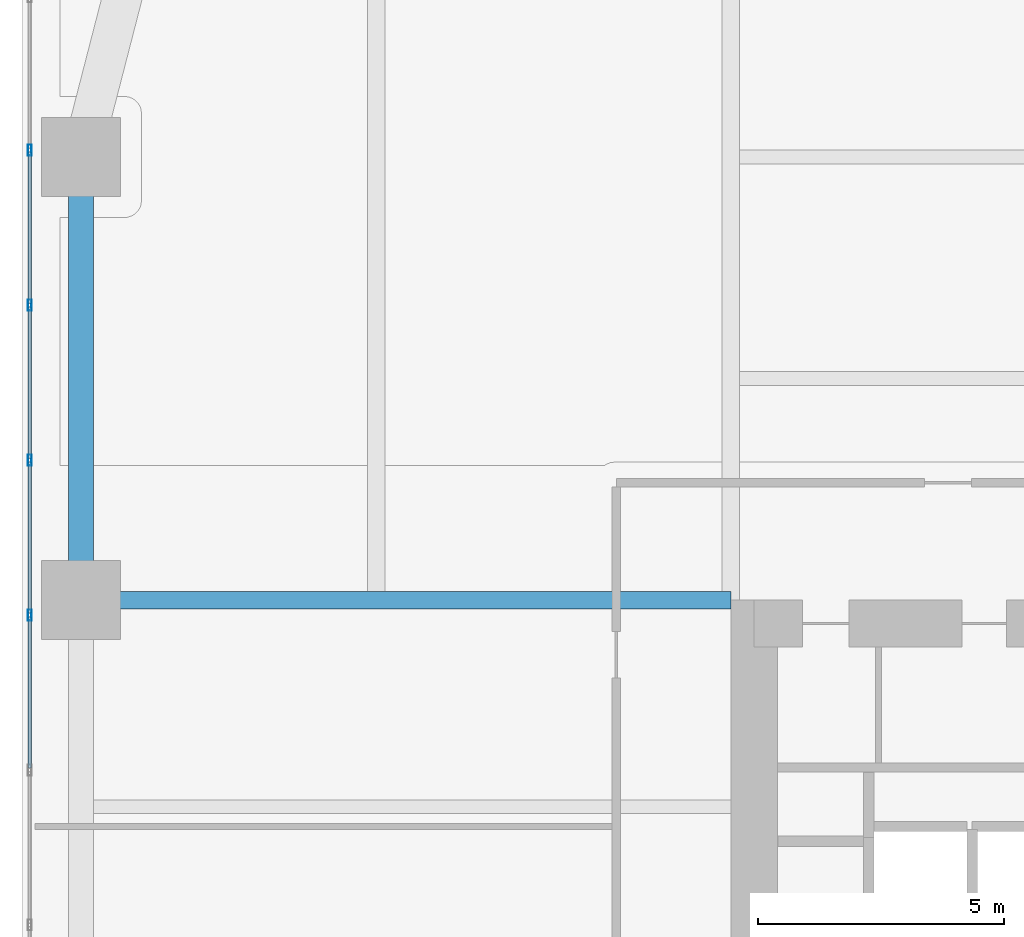
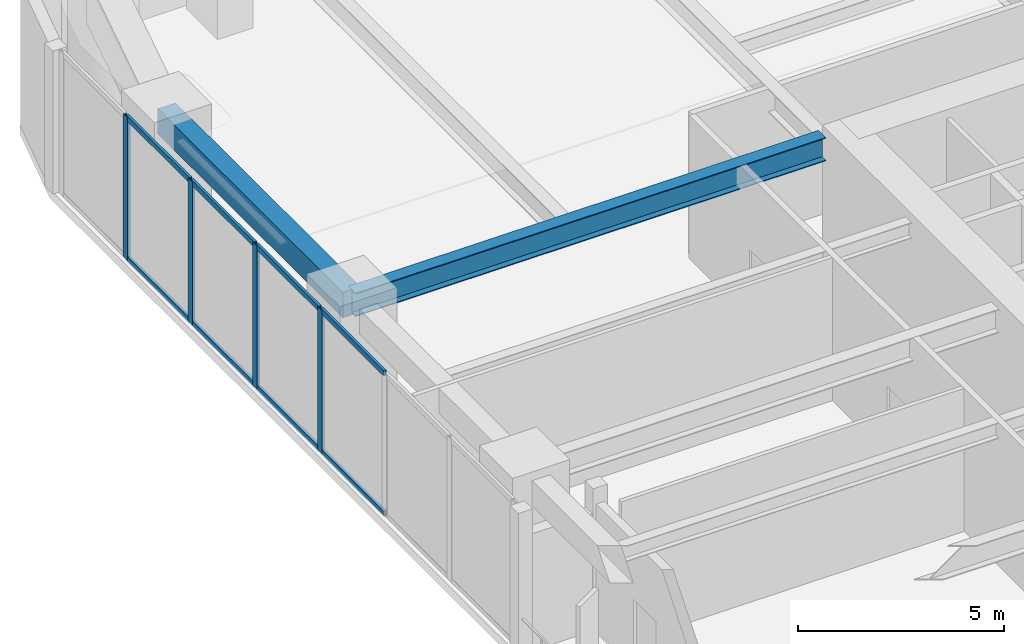
# One storey, part 11 of 25: 12 members, 2 beams, 1 element without a shape of its own.
"""IFC4 building model written with IfcOpenShell, lengths in metres."""

import ifcopenshell
import ifcopenshell.guid

model = None  # the IFC model being written
_history = None  # IfcOwnerHistory: only IFC2X3 demands one
_inside = {}  # id of a spatial element -> (the spatial element, [elements in it])
_under = {}  # id of a project, library or spatial element -> (it, [spatial elements below it])
_declared = {}  # id of a project -> (the project, [libraries it declares])
_typed = {}  # id of a type object -> (the type object, [elements of that type])
_made_of = {}  # id of a material, layer set ... -> (it, [elements and type objects made of it])


def new_model(schema):
    """Start an empty IFC model of exactly this schema.

    Asked for "IFC4X3", IfcOpenShell would pick the latest addendum, in which some entities
    have other attributes; the version numbers below select the first issue.
    IFC2X3 requires an IfcOwnerHistory on every rooted entity: one is made here for all.
    """
    global model, _history
    if schema == "IFC4X3":
        model = ifcopenshell.file(schema_version=(4, 3, 0, 0))
    else:
        model = ifcopenshell.file(schema=schema)
    _inside.clear()
    _under.clear()
    _declared.clear()
    _typed.clear()
    _made_of.clear()
    _history = None
    if model.schema == "IFC2X3":
        org = make("IfcOrganization", Name="unknown")
        user = make(
            "IfcPersonAndOrganization",
            ThePerson=make("IfcPerson", FamilyName="unknown"),
            TheOrganization=org,
        )
        app = make(
            "IfcApplication",
            ApplicationDeveloper=org,
            Version="unknown",
            ApplicationFullName="unknown",
            ApplicationIdentifier="unknown",
        )
        _history = make(
            "IfcOwnerHistory",
            OwningUser=user,
            OwningApplication=app,
            ChangeAction="ADDED",
            CreationDate=0,
        )
    return model


def make(cls, **values):
    """One entity of the class cls with the attributes given. An attribute that is None is left unset."""
    return model.create_entity(
        cls, **{name: value for name, value in values.items() if value is not None}
    )


def rooted(cls, **values):
    """An entity with a GlobalId (a new one), such as an element, a storey or a relation."""
    return make(cls, GlobalId=ifcopenshell.guid.new(), OwnerHistory=_history, **values)


def si_unit(unit_type, name, prefix=None):
    """IfcSIUnit, for example si_unit("LENGTHUNIT", "METRE", prefix="MILLI")."""
    return make("IfcSIUnit", UnitType=unit_type, Prefix=prefix, Name=name)


def assignment(units):
    """IfcUnitAssignment: the units of a project."""
    return None if units is None else make("IfcUnitAssignment", Units=units)


def point(xyz):
    """IfcCartesianPoint."""
    return None if xyz is None else make("IfcCartesianPoint", Coordinates=xyz)


def direction(xyz):
    """IfcDirection."""
    return None if xyz is None else make("IfcDirection", DirectionRatios=xyz)


def frame(location, z_axis=None, x_axis=None):
    """IfcAxis2Placement3D, a coordinate frame: its origin and axes. An axis left out is left unset."""
    return make(
        "IfcAxis2Placement3D",
        Location=point(location),
        Axis=direction(z_axis),
        RefDirection=direction(x_axis),
    )


def frame_2d(location, x_axis=None):
    """IfcAxis2Placement2D, a coordinate frame in the plane: its origin and x axis."""
    return make(
        "IfcAxis2Placement2D", Location=point(location), RefDirection=direction(x_axis)
    )


def origin():
    """The frame at (0, 0, 0) with its axes left unset."""
    return frame((0.0, 0.0, 0.0))


def origin_2d():
    """The frame at (0, 0) in the plane with its x axis left unset."""
    return frame_2d((0.0, 0.0))


def place(relative_to, where):
    """IfcLocalPlacement: puts the frame where relative to a parent placement (None: the world)."""
    return make(
        "IfcLocalPlacement", PlacementRelTo=relative_to, RelativePlacement=where
    )


def context(
    kind, dimensions, precision=None, world=None, true_north=None, identifier=None
):
    """IfcGeometricRepresentationContext, for example the 3D "Model" context."""
    return make(
        "IfcGeometricRepresentationContext",
        ContextIdentifier=identifier,
        ContextType=kind,
        CoordinateSpaceDimension=dimensions,
        Precision=precision,
        WorldCoordinateSystem=world,
        TrueNorth=true_north,
    )


def subcontext(parent, identifier, kind, view, scale=None):
    """IfcGeometricRepresentationSubContext, for example "Body" below "Model"."""
    return make(
        "IfcGeometricRepresentationSubContext",
        ContextIdentifier=identifier,
        ContextType=kind,
        ParentContext=parent,
        TargetScale=scale,
        TargetView=view,
    )


def project(units=None, contexts=None):
    """IfcProject with its units and contexts."""
    return rooted(
        "IfcProject",
        Name="project",
        RepresentationContexts=contexts,
        UnitsInContext=assignment(units),
    )


def spatial(cls, under=None, at=None, **own):
    """A site, building, storey or space (cls), placed at a placement, below another one or the project."""
    s = rooted(cls, ObjectPlacement=at, **own)
    if under is not None:
        _under.setdefault(under.id(), (under, []))[1].append(s)
    return s


def profile(cls, at=None, kind="AREA", **sizes):
    """A parametric profile (cls). Its sizes go by their IFC names, for example OverallWidth=200.0."""
    return make(cls, ProfileType=kind, Position=at, **sizes)


def rectangle(**sizes):
    """IfcRectangleProfileDef."""
    return profile("IfcRectangleProfileDef", **sizes)


def hollow_rectangle(**sizes):
    """IfcRectangleHollowProfileDef."""
    return profile("IfcRectangleHollowProfileDef", **sizes)


def i_section(**sizes):
    """IfcIShapeProfileDef."""
    return profile("IfcIShapeProfileDef", **sizes)


def extrude(swept, where, along, depth):
    """IfcExtrudedAreaSolid: the profile swept, set in the frame where, extruded along a direction by depth."""
    return make(
        "IfcExtrudedAreaSolid",
        SweptArea=swept,
        Position=where,
        ExtrudedDirection=direction(along),
        Depth=depth,
    )


def shape(context_of_items, identifier, shape_type, items):
    """IfcShapeRepresentation: the items that make up one representation, for example the "Body"."""
    return make(
        "IfcShapeRepresentation",
        ContextOfItems=context_of_items,
        RepresentationIdentifier=identifier,
        RepresentationType=shape_type,
        Items=items,
    )


def material(Name=None, Category=None):
    """IfcMaterial."""
    return make("IfcMaterial", Name=Name, Category=Category)


def layer(
    of_material, thickness, ventilated=None, Name=None, Category=None, Priority=None
):
    """IfcMaterialLayer: one layer of a wall or slab, of a material (None: an air gap)."""
    return make(
        "IfcMaterialLayer",
        Material=of_material,
        LayerThickness=thickness,
        IsVentilated=ventilated,
        Name=Name,
        Category=Category,
        Priority=Priority,
    )


def layer_set(layers, Name=None):
    """IfcMaterialLayerSet."""
    return make("IfcMaterialLayerSet", MaterialLayers=layers, LayerSetName=Name)


def material_profile(
    of_material, cross_section, Name=None, Category=None, Priority=None
):
    """IfcMaterialProfile: a cross section and its material."""
    return make(
        "IfcMaterialProfile",
        Name=Name,
        Material=of_material,
        Profile=cross_section,
        Priority=Priority,
        Category=Category,
    )


def profile_set(profiles, Name=None, composite=None):
    """IfcMaterialProfileSet."""
    return make(
        "IfcMaterialProfileSet",
        Name=Name,
        MaterialProfiles=profiles,
        CompositeProfile=composite,
    )


def made_of(thing, what):
    """Note that an element or type object is made of a material, layer set ...; save() writes the relation."""
    if what is not None:
        _made_of.setdefault(what.id(), (what, []))[1].append(thing)
    return thing


def type_object(cls, material=None, **own):
    """A type object (cls), such as IfcWallType, which elements share."""
    return made_of(rooted(cls, **own), material)


def element(
    cls,
    number,
    at=None,
    inside=None,
    cuts=None,
    type_object=None,
    material=None,
    context=None,
    identifier="Body",
    shape_type=None,
    held_by="IfcProductDefinitionShape",
    body=None,
    shapes=None,
    **own,
):
    """One element of the class cls, such as IfcWall. Its Tag is "e" and its number.

    at: its placement. inside: the storey or other place that contains it. cuts: it is an
    opening in that element (IfcRelVoidsElement). A single representation is given by context,
    identifier, shape_type and body (its items); several are given by shapes. held_by: the class
    of the entity that holds the representations. save() writes the other relations.
    """
    e = rooted(cls, Tag="e%d" % number, ObjectPlacement=at, **own)
    if body is not None:
        shapes = [shape(context, identifier, shape_type, body)]
    if shapes is not None:
        e.Representation = make(held_by, Representations=shapes)
    if inside is not None:
        _inside.setdefault(inside.id(), (inside, []))[1].append(e)
    if cuts is not None:
        rooted(
            "IfcRelVoidsElement", RelatingBuildingElement=cuts, RelatedOpeningElement=e
        )
    if type_object is not None:
        _typed.setdefault(type_object.id(), (type_object, []))[1].append(e)
    return made_of(e, material)


def aggregate(whole, parts):
    """IfcRelAggregates: a whole, such as a stair, and the parts it consists of."""
    return rooted("IfcRelAggregates", RelatingObject=whole, RelatedObjects=parts)


def save(model, path):
    """Write the relations noted so far, then the file.

    IfcRelAggregates (storeys below a building ...), IfcRelContainedInSpatialStructure (elements
    in a storey), IfcRelDefinesByType, IfcRelAssociatesMaterial and IfcRelDeclares: one each for
    every whole, place, type object, material and project.
    """
    for whole, parts in _under.values():
        aggregate(whole, parts)
    for where, things in _inside.values():
        rooted(
            "IfcRelContainedInSpatialStructure",
            RelatedElements=things,
            RelatingStructure=where,
        )
    for kind, things in _typed.values():
        rooted("IfcRelDefinesByType", RelatedObjects=things, RelatingType=kind)
    for what, things in _made_of.values():
        rooted("IfcRelAssociatesMaterial", RelatedObjects=things, RelatingMaterial=what)
    for by, libraries in _declared.values():
        rooted("IfcRelDeclares", RelatingContext=by, RelatedDefinitions=libraries)
    model.write(path)


model = new_model("IFC4")

# Units and contexts
model_context = context("Model", 3, precision=1e-05, world=origin(), true_north=direction((0.0, 1.0)))
body_context = subcontext(model_context, "Body", "Model", "MODEL_VIEW")
ifc_project = project(units=[si_unit("LENGTHUNIT", "METRE"), si_unit("AREAUNIT", "SQUARE_METRE"), si_unit("VOLUMEUNIT", "CUBIC_METRE"), si_unit("PLANEANGLEUNIT", "RADIAN"), si_unit("MASSUNIT", "GRAM", prefix="KILO")], contexts=[model_context])

# Site, building, storey
site_placement = place(None, origin())
site = spatial("IfcSite", under=ifc_project, at=site_placement, CompositionType="ELEMENT")
building_placement = place(site_placement, origin())
building = spatial("IfcBuilding", under=site, at=building_placement, Name="Kiyonajd Concourse Tower", CompositionType="ELEMENT")
storey_placement = place(building_placement, frame((0.0, 0.0, 68.39990234375)))
storey = spatial("IfcBuildingStorey", under=building, at=storey_placement, Name="L18", CompositionType="ELEMENT", Elevation=68.39990234375)

# Beams
ifc_material_1 = material(Name="Precast concrete C50/60", Category="concrete")
ifc_material_profile_1 = material_profile(ifc_material_1, rectangle(XDim=0.5, YDim=0.75, at=origin_2d()), Name="RCBM-500x750")
ifc_profile_set_1 = profile_set([ifc_material_profile_1], Name="Precast concrete C50/60")
beam_type_1 = type_object("IfcBeamType", Name="BM-SPAN-RC", PredefinedType="SPANDREL", material=ifc_profile_set_1)
beam_1_placement = place(storey_placement, frame((19.199951171875, 53.39990234375, 3.864990234375), z_axis=(0.0, -1.0, 0.0), x_axis=(1.0, 0.0, 0.0)))
element("IfcBeam", 1, at=beam_1_placement, inside=storey, type_object=beam_type_1, Name="L18 Perimeter Bundled Tube Spandrel", PredefinedType="SPANDREL", context=body_context, shape_type="SweptSolid", body=[
    extrude(rectangle(XDim=0.5, YDim=0.75, at=origin_2d()), origin(), (0.0, 0.0, 1.0), 9.0),
])
ifc_material_2 = material(Name="Steel ASTM A992 Grade 50", Category="steel")
ifc_material_profile_2 = material_profile(ifc_material_2, i_section(OverallWidth=0.35498046875, OverallDepth=0.695068359375, WebThickness=0.015380859375, FlangeThickness=0.02490234375, at=origin_2d()), Name="W690X217")
ifc_profile_set_2 = profile_set([ifc_material_profile_2], Name="Steel ASTM A992 Grade 50")
beam_type_2 = type_object("IfcBeamType", Name="BM-TWR-690", PredefinedType="BEAM", material=ifc_profile_set_2)
beam_2_placement = place(storey_placement, frame((19.199951171875, 44.39990234375, 3.892578125), z_axis=(1.0, 0.0, 0.0), x_axis=(0.0, 1.0, 0.0)))
element("IfcBeam", 2, at=beam_2_placement, inside=storey, type_object=beam_type_2, Name="L18 West Lease Girder", PredefinedType="BEAM", context=body_context, shape_type="SweptSolid", body=[
    extrude(i_section(OverallWidth=0.35498046875, OverallDepth=0.695068359375, WebThickness=0.015380859375, FlangeThickness=0.02490234375, at=origin_2d()), origin(), (0.0, 0.0, 1.0), 13.199951171875),
])

# Curtain wall, members
ifc_material_3 = material(Name="Thermally Broken Anodised Aluminium", Category="aluminium")
ifc_layer = layer(ifc_material_3, 0.179931640625)
ifc_layer_set = layer_set([ifc_layer], Name="Thermally Broken Anodised Aluminium")
curtain_wall_type = type_object("IfcCurtainWallType", Name="CW-SYS-05", PredefinedType="NOTDEFINED", material=ifc_layer_set)
curtain_wall_placement = place(storey_placement, origin())
curtain_wall = element("IfcCurtainWall", 3, at=curtain_wall_placement, inside=storey, type_object=curtain_wall_type, Name="L18 Unitised Curtain Wall CW5", PredefinedType="NOTDEFINED")
ifc_material_profile_3 = material_profile(ifc_material_3, hollow_rectangle(XDim=0.074951171875, YDim=0.219970703125, WallThickness=0.0048828125, at=origin_2d()), Name="MULL-75x220")
ifc_profile_set_3 = profile_set([ifc_material_profile_3], Name="Thermally Broken Anodised Aluminium")
member_type_1 = type_object("IfcMemberType", Name="MB-CW-MULL2", PredefinedType="MULLION", material=ifc_profile_set_3)
member_1_placement = place(storey_placement, frame((18.159912109375, 44.09521484375, 0.0), z_axis=(0.0, 0.0, 1.0), x_axis=(-1.0, 0.0, 0.0)))
member_1 = element("IfcMember", 4, at=member_1_placement, type_object=member_type_1, Name="CW5 mullion 4", PredefinedType="MULLION", context=body_context, shape_type="SweptSolid", body=[
    extrude(hollow_rectangle(XDim=0.074951171875, YDim=0.219970703125, WallThickness=0.0048828125, at=origin_2d()), origin(), (0.0, 0.0, 1.0), 4.239990234375),
])
member_2_placement = place(storey_placement, frame((18.159912109375, 47.24365234375, 0.0), z_axis=(0.0, 0.0, 1.0), x_axis=(-1.0, 0.0, 0.0)))
member_2 = element("IfcMember", 5, at=member_2_placement, type_object=member_type_1, Name="CW5 mullion 5", PredefinedType="MULLION", context=body_context, shape_type="SweptSolid", body=[
    extrude(hollow_rectangle(XDim=0.074951171875, YDim=0.219970703125, WallThickness=0.0048828125, at=origin_2d()), origin(), (0.0, 0.0, 1.0), 4.239990234375),
])
member_3_placement = place(storey_placement, frame((18.159912109375, 50.39208984375, 0.0), z_axis=(0.0, 0.0, 1.0), x_axis=(-1.0, 0.0, 0.0)))
member_3 = element("IfcMember", 6, at=member_3_placement, type_object=member_type_1, Name="CW5 mullion 6", PredefinedType="MULLION", context=body_context, shape_type="SweptSolid", body=[
    extrude(hollow_rectangle(XDim=0.074951171875, YDim=0.219970703125, WallThickness=0.0048828125, at=origin_2d()), origin(), (0.0, 0.0, 1.0), 4.239990234375),
])
member_4_placement = place(storey_placement, frame((18.159912109375, 53.54052734375, 0.0), z_axis=(0.0, 0.0, 1.0), x_axis=(-1.0, 0.0, 0.0)))
member_4 = element("IfcMember", 7, at=member_4_placement, type_object=member_type_1, Name="CW5 mullion 7", PredefinedType="MULLION", context=body_context, shape_type="SweptSolid", body=[
    extrude(hollow_rectangle(XDim=0.074951171875, YDim=0.219970703125, WallThickness=0.0048828125, at=origin_2d()), origin(), (0.0, 0.0, 1.0), 4.239990234375),
])
ifc_material_profile_4 = material_profile(ifc_material_3, hollow_rectangle(XDim=0.074951171875, YDim=0.159912109375, WallThickness=0.0048828125, at=origin_2d()), Name="TRAN-75x160")
ifc_profile_set_4 = profile_set([ifc_material_profile_4], Name="Thermally Broken Anodised Aluminium")
member_type_2 = type_object("IfcMemberType", Name="MB-CW-TRAN2", PredefinedType="USERDEFINED", material=ifc_profile_set_4)
member_5_placement = place(storey_placement, frame((18.159912109375, 40.984375, 0.03759765625), z_axis=(0.0, 1.0, 0.0), x_axis=(-1.0, 0.0, 0.0)))
member_5 = element("IfcMember", 8, at=member_5_placement, type_object=member_type_2, Name="CW5 transom 3.1", ObjectType="TRANSOM", PredefinedType="USERDEFINED", context=body_context, shape_type="SweptSolid", body=[
    extrude(hollow_rectangle(XDim=0.074951171875, YDim=0.159912109375, WallThickness=0.0048828125, at=origin_2d()), origin(), (0.0, 0.0, 1.0), 3.073486328125),
])
member_6_placement = place(storey_placement, frame((18.159912109375, 40.984375, 4.20263671875), z_axis=(0.0, 1.0, 0.0), x_axis=(-1.0, 0.0, 0.0)))
member_6 = element("IfcMember", 9, at=member_6_placement, type_object=member_type_2, Name="CW5 transom 3.2", ObjectType="TRANSOM", PredefinedType="USERDEFINED", context=body_context, shape_type="SweptSolid", body=[
    extrude(hollow_rectangle(XDim=0.074951171875, YDim=0.159912109375, WallThickness=0.0048828125, at=origin_2d()), origin(), (0.0, 0.0, 1.0), 3.073486328125),
])
member_7_placement = place(storey_placement, frame((18.159912109375, 44.1328125, 0.03759765625), z_axis=(0.0, 1.0, 0.0), x_axis=(-1.0, 0.0, 0.0)))
member_7 = element("IfcMember", 10, at=member_7_placement, type_object=member_type_2, Name="CW5 transom 4.1", ObjectType="TRANSOM", PredefinedType="USERDEFINED", context=body_context, shape_type="SweptSolid", body=[
    extrude(hollow_rectangle(XDim=0.074951171875, YDim=0.159912109375, WallThickness=0.0048828125, at=origin_2d()), origin(), (0.0, 0.0, 1.0), 3.0732421875),
])
member_8_placement = place(storey_placement, frame((18.159912109375, 44.1328125, 4.20263671875), z_axis=(0.0, 1.0, 0.0), x_axis=(-1.0, 0.0, 0.0)))
member_8 = element("IfcMember", 11, at=member_8_placement, type_object=member_type_2, Name="CW5 transom 4.2", ObjectType="TRANSOM", PredefinedType="USERDEFINED", context=body_context, shape_type="SweptSolid", body=[
    extrude(hollow_rectangle(XDim=0.074951171875, YDim=0.159912109375, WallThickness=0.0048828125, at=origin_2d()), origin(), (0.0, 0.0, 1.0), 3.0732421875),
])
member_9_placement = place(storey_placement, frame((18.159912109375, 47.28125, 0.03759765625), z_axis=(0.0, 1.0, 0.0), x_axis=(-1.0, 0.0, 0.0)))
member_9 = element("IfcMember", 12, at=member_9_placement, type_object=member_type_2, Name="CW5 transom 5.1", ObjectType="TRANSOM", PredefinedType="USERDEFINED", context=body_context, shape_type="SweptSolid", body=[
    extrude(hollow_rectangle(XDim=0.074951171875, YDim=0.159912109375, WallThickness=0.0048828125, at=origin_2d()), origin(), (0.0, 0.0, 1.0), 3.0732421875),
])
member_10_placement = place(storey_placement, frame((18.159912109375, 47.28125, 4.20263671875), z_axis=(0.0, 1.0, 0.0), x_axis=(-1.0, 0.0, 0.0)))
member_10 = element("IfcMember", 13, at=member_10_placement, type_object=member_type_2, Name="CW5 transom 5.2", ObjectType="TRANSOM", PredefinedType="USERDEFINED", context=body_context, shape_type="SweptSolid", body=[
    extrude(hollow_rectangle(XDim=0.074951171875, YDim=0.159912109375, WallThickness=0.0048828125, at=origin_2d()), origin(), (0.0, 0.0, 1.0), 3.0732421875),
])
member_11_placement = place(storey_placement, frame((18.159912109375, 50.4296875, 0.03759765625), z_axis=(0.0, 1.0, 0.0), x_axis=(-1.0, 0.0, 0.0)))
member_11 = element("IfcMember", 14, at=member_11_placement, type_object=member_type_2, Name="CW5 transom 6.1", ObjectType="TRANSOM", PredefinedType="USERDEFINED", context=body_context, shape_type="SweptSolid", body=[
    extrude(hollow_rectangle(XDim=0.074951171875, YDim=0.159912109375, WallThickness=0.0048828125, at=origin_2d()), origin(), (0.0, 0.0, 1.0), 3.0732421875),
])
member_12_placement = place(storey_placement, frame((18.159912109375, 50.4296875, 4.20263671875), z_axis=(0.0, 1.0, 0.0), x_axis=(-1.0, 0.0, 0.0)))
member_12 = element("IfcMember", 15, at=member_12_placement, type_object=member_type_2, Name="CW5 transom 6.2", ObjectType="TRANSOM", PredefinedType="USERDEFINED", context=body_context, shape_type="SweptSolid", body=[
    extrude(hollow_rectangle(XDim=0.074951171875, YDim=0.159912109375, WallThickness=0.0048828125, at=origin_2d()), origin(), (0.0, 0.0, 1.0), 3.0732421875),
])
aggregate(curtain_wall, [member_1, member_2, member_3, member_4, member_5, member_6, member_7, member_8, member_9, member_10, member_11, member_12])

save(model, "model.ifc")
